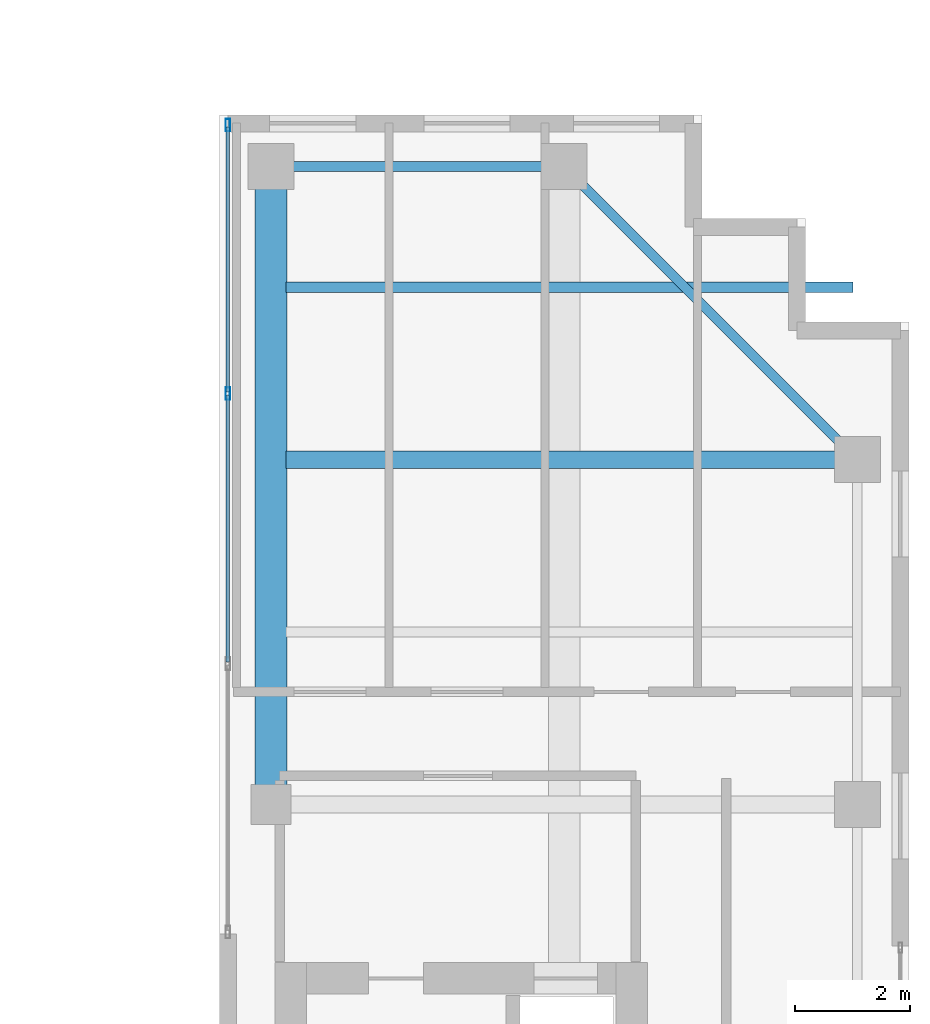
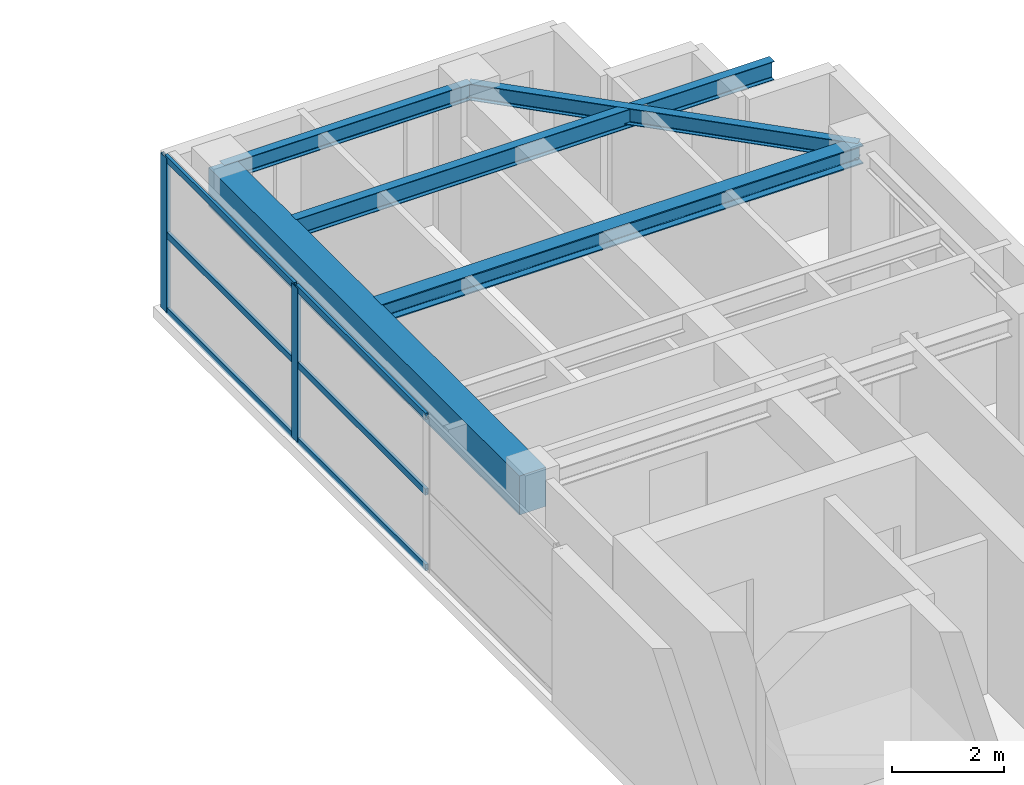
# One storey, part 15 of 22: 8 members, 5 beams, 1 element without a shape of its own.
"""IFC4 building model written with IfcOpenShell, lengths in metres."""

from ifc_helpers import new_model, si_unit, direction, frame, origin, origin_2d, place, context, subcontext, project, spatial, rectangle, hollow_rectangle, i_section, extrude, source, transform, mapped, material, layer, layer_set, material_profile, profile_set, type_object, element, aggregate, save


model = new_model("IFC4")

# Units and contexts
model_context = context("Model", 3, precision=1e-05, world=origin(), true_north=direction((0.0, 1.0)))
body_context = subcontext(model_context, "Body", "Model", "MODEL_VIEW")
ifc_project = project(units=[si_unit("LENGTHUNIT", "METRE"), si_unit("AREAUNIT", "SQUARE_METRE"), si_unit("VOLUMEUNIT", "CUBIC_METRE"), si_unit("PLANEANGLEUNIT", "RADIAN"), si_unit("MASSUNIT", "GRAM", prefix="KILO")], contexts=[model_context])

# Site, building, storey
site_placement = place(None, origin())
site = spatial("IfcSite", under=ifc_project, at=site_placement, CompositionType="ELEMENT")
building_placement = place(site_placement, origin())
building = spatial("IfcBuilding", under=site, at=building_placement, Name="Khoralis Quay Care Tower", CompositionType="ELEMENT")
storey_placement = place(building_placement, frame((0.0, 0.0, 260.10009765625)))
storey = spatial("IfcBuildingStorey", under=building, at=storey_placement, Name="L68", CompositionType="ELEMENT", Elevation=260.10009765625)

# Beams
ifc_material_1 = material(Name="Steel S355", Category="steel")
ifc_material_profile_1 = material_profile(ifc_material_1, i_section(OverallWidth=0.169921875, OverallDepth=0.360107421875, WebThickness=0.008056640625, FlangeThickness=0.0126953125, FilletRadius=0.01806640625, at=origin_2d()), Name="Steel S355")
ifc_profile_set_1 = profile_set([ifc_material_profile_1], Name="Steel S355")
beam_type_1 = type_object("IfcBeamType", Name="BM-IPE360", PredefinedType="SPANDREL", material=ifc_profile_set_1)
shared_shape_1 = source(origin(), body_context, "Body", "SweptSolid", [
    extrude(i_section(OverallWidth=0.169921875, OverallDepth=0.360107421875, WebThickness=0.008056640625, FlangeThickness=0.0126953125, FilletRadius=0.01806640625, at=origin_2d()), origin(), (0.0, 0.0, 1.0), 5.10009765625),
])
beam_1_placement = place(storey_placement, frame((30.89990234375, 41.10009765625, 3.179931640625), z_axis=(1.0, 0.0, 0.0), x_axis=(0.0, 1.0, 0.0)))
element("IfcBeam", 1, at=beam_1_placement, inside=storey, type_object=beam_type_1, Name="BM-TSP-L68-04", PredefinedType="SPANDREL", context=body_context, shape_type="MappedRepresentation", body=[
    mapped(shared_shape_1, transform((0.0, 0.0, 0.0), scale=1.0)),
])
shared_shape_2 = source(origin(), body_context, "Body", "SweptSolid", [
    extrude(i_section(OverallWidth=0.169921875, OverallDepth=0.360107421875, WebThickness=0.008056640625, FlangeThickness=0.0126953125, FilletRadius=0.01806640625, at=origin_2d()), origin(), (0.0, 0.0, 1.0), 7.212646484375),
])
beam_2_placement = place(storey_placement, frame((36.0, 41.10009765625, 3.179931640625), z_axis=(0.707106781187, -0.707106781187, 0.0), x_axis=(0.707106781187, 0.707106781187, 0.0)))
element("IfcBeam", 2, at=beam_2_placement, inside=storey, type_object=beam_type_1, Name="BM-TCR-L68-16", PredefinedType="SPANDREL", context=body_context, shape_type="MappedRepresentation", body=[
    mapped(shared_shape_2, transform((0.0, 0.0, 0.0), scale=1.0)),
])
ifc_material_profile_2 = material_profile(ifc_material_1, i_section(OverallWidth=0.300048828125, OverallDepth=0.39990234375, WebThickness=0.013427734375, FlangeThickness=0.02392578125, FilletRadius=0.027099609375, at=origin_2d()), Name="Steel S355")
ifc_profile_set_2 = profile_set([ifc_material_profile_2], Name="Steel S355")
beam_type_2 = type_object("IfcBeamType", Name="BM-HEB400", PredefinedType="BEAM", material=ifc_profile_set_2)
shared_shape_3 = source(origin(), body_context, "Body", "SweptSolid", [
    extrude(i_section(OverallWidth=0.300048828125, OverallDepth=0.39990234375, WebThickness=0.013427734375, FlangeThickness=0.02392578125, FilletRadius=0.027099609375, at=origin_2d()), origin(), (0.0, 0.0, 1.0), 9.93701171875),
])
beam_3_placement = place(storey_placement, frame((31.1630859375, 36.0, 3.159912109375), z_axis=(1.0, 0.0, 0.0), x_axis=(0.0, 1.0, 0.0)))
element("IfcBeam", 3, at=beam_3_placement, inside=storey, type_object=beam_type_2, Name="BM-TGXE-L68-360", PredefinedType="BEAM", context=body_context, shape_type="MappedRepresentation", body=[
    mapped(shared_shape_3, transform((0.0, 0.0, 0.0), scale=1.0)),
])
ifc_material_2 = material(Name="Concrete C50/60", Category="concrete")
ifc_material_profile_3 = material_profile(ifc_material_2, rectangle(XDim=0.550048828125, YDim=0.85009765625, at=origin_2d()), Name="Concrete C50/60")
ifc_profile_set_3 = profile_set([ifc_material_profile_3], Name="Concrete C50/60")
beam_type_3 = type_object("IfcBeamType", Name="BM-RC550X850", PredefinedType="BEAM", material=ifc_profile_set_3)
shared_shape_4 = source(origin(), body_context, "Body", "SweptSolid", [
    extrude(rectangle(XDim=0.550048828125, YDim=0.85009765625, at=origin_2d()), origin(), (0.0, 0.0, 1.0), 11.10009765625),
])
beam_4_placement = place(storey_placement, frame((30.89990234375, 30.0, 2.934814453125), z_axis=(0.0, 1.0, 0.0), x_axis=(-1.0, 0.0, 0.0)))
element("IfcBeam", 4, at=beam_4_placement, inside=storey, type_object=beam_type_3, Name="BM-TGYN-L68-309", PredefinedType="BEAM", context=body_context, shape_type="MappedRepresentation", body=[
    mapped(shared_shape_4, transform((0.0, 0.0, 0.0), scale=1.0)),
])
ifc_material_profile_4 = material_profile(ifc_material_1, i_section(OverallWidth=0.177978515625, OverallDepth=0.406982421875, WebThickness=0.0078125, FlangeThickness=0.0126953125, FilletRadius=0.012939453125, at=origin_2d()), Name="Steel S355")
ifc_profile_set_4 = profile_set([ifc_material_profile_4], Name="Steel S355")
beam_type_4 = type_object("IfcBeamType", Name="BM-W410X60", PredefinedType="JOIST", material=ifc_profile_set_4)
shared_shape_5 = source(origin(), body_context, "Body", "SweptSolid", [
    extrude(i_section(OverallWidth=0.177978515625, OverallDepth=0.406982421875, WebThickness=0.0078125, FlangeThickness=0.0126953125, FilletRadius=0.012939453125, at=origin_2d()), origin(), (0.0, 0.0, 1.0), 9.865966796875),
])
beam_5_placement = place(storey_placement, frame((31.1630859375, 39.0, 3.156494140625), z_axis=(1.0, 0.0, 0.0), x_axis=(0.0, 1.0, 0.0)))
element("IfcBeam", 5, at=beam_5_placement, inside=storey, type_object=beam_type_4, Name="BM-TJS-L68-22", PredefinedType="JOIST", context=body_context, shape_type="MappedRepresentation", body=[
    mapped(shared_shape_5, transform((0.0, 0.0, 0.0), scale=1.0)),
])

# Curtain wall, members
ifc_material_3 = material(Name="Pale anodised aluminium", Category="aluminium")
ifc_layer = layer(ifc_material_3, 0.18994140625)
ifc_layer_set = layer_set([ifc_layer], Name="Pale anodised aluminium")
curtain_wall_type = type_object("IfcCurtainWallType", Name="CW-SYS-PORTAL", PredefinedType="NOTDEFINED", material=ifc_layer_set)
curtain_wall_placement = place(storey_placement, origin())
curtain_wall = element("IfcCurtainWall", 6, at=curtain_wall_placement, inside=storey, type_object=curtain_wall_type, Name="L68 Unitised Curtain Wall CW-VP-L68-P2-N", PredefinedType="NOTDEFINED")
ifc_material_profile_5 = material_profile(ifc_material_3, hollow_rectangle(XDim=0.06005859375, YDim=0.139892578125, WallThickness=0.00390625, at=origin_2d()), Name="Pale anodised aluminium")
ifc_profile_set_5 = profile_set([ifc_material_profile_5], Name="Pale anodised aluminium")
member_type_1 = type_object("IfcMemberType", Name="CW-TRN-140", PredefinedType="USERDEFINED", material=ifc_profile_set_5)
shared_shape_6 = source(origin(), body_context, "Body", "SweptSolid", [
    extrude(hollow_rectangle(XDim=0.06005859375, YDim=0.139892578125, WallThickness=0.00390625, at=origin_2d()), origin(), (0.0, 0.0, 1.0), 4.610107421875),
])
member_1_placement = place(storey_placement, frame((30.14990234375, 37.179931640625, 0.02978515625), z_axis=(0.0, 1.0, 0.0), x_axis=(-1.0, 0.0, 0.0)))
member_1 = element("IfcMember", 7, at=member_1_placement, type_object=member_type_1, Name="CW4 transom 3.1", ObjectType="TRANSOM", PredefinedType="USERDEFINED", context=body_context, shape_type="MappedRepresentation", body=[
    mapped(shared_shape_6, transform((0.0, 0.0, 0.0), scale=1.0)),
])
member_2_placement = place(storey_placement, frame((30.14990234375, 37.179931640625, 1.679931640625), z_axis=(0.0, 1.0, 0.0), x_axis=(-1.0, 0.0, 0.0)))
member_2 = element("IfcMember", 8, at=member_2_placement, type_object=member_type_1, Name="CW4 transom 3.2", ObjectType="TRANSOM", PredefinedType="USERDEFINED", context=body_context, shape_type="MappedRepresentation", body=[
    mapped(shared_shape_6, transform((0.0, 0.0, 0.0), scale=1.0)),
])
member_3_placement = place(storey_placement, frame((30.14990234375, 37.179931640625, 3.329833984375), z_axis=(0.0, 1.0, 0.0), x_axis=(-1.0, 0.0, 0.0)))
member_3 = element("IfcMember", 9, at=member_3_placement, type_object=member_type_1, Name="CW4 transom 3.3", ObjectType="TRANSOM", PredefinedType="USERDEFINED", context=body_context, shape_type="MappedRepresentation", body=[
    mapped(shared_shape_6, transform((0.0, 0.0, 0.0), scale=1.0)),
])
shared_shape_7 = source(origin(), body_context, "Body", "SweptSolid", [
    extrude(hollow_rectangle(XDim=0.06005859375, YDim=0.139892578125, WallThickness=0.00390625, at=origin_2d()), origin(), (0.0, 0.0, 1.0), 4.64013671875),
])
member_4_placement = place(storey_placement, frame((30.14990234375, 32.47998046875, 0.02978515625), z_axis=(0.0, 1.0, 0.0), x_axis=(-1.0, 0.0, 0.0)))
member_4 = element("IfcMember", 10, at=member_4_placement, type_object=member_type_1, Name="CW4 transom 2.1", ObjectType="TRANSOM", PredefinedType="USERDEFINED", context=body_context, shape_type="MappedRepresentation", body=[
    mapped(shared_shape_7, transform((0.0, 0.0, 0.0), scale=1.0)),
])
member_5_placement = place(storey_placement, frame((30.14990234375, 32.47998046875, 1.679931640625), z_axis=(0.0, 1.0, 0.0), x_axis=(-1.0, 0.0, 0.0)))
member_5 = element("IfcMember", 11, at=member_5_placement, type_object=member_type_1, Name="CW4 transom 2.2", ObjectType="TRANSOM", PredefinedType="USERDEFINED", context=body_context, shape_type="MappedRepresentation", body=[
    mapped(shared_shape_7, transform((0.0, 0.0, 0.0), scale=1.0)),
])
member_6_placement = place(storey_placement, frame((30.14990234375, 32.47998046875, 3.329833984375), z_axis=(0.0, 1.0, 0.0), x_axis=(-1.0, 0.0, 0.0)))
member_6 = element("IfcMember", 12, at=member_6_placement, type_object=member_type_1, Name="CW4 transom 2.3", ObjectType="TRANSOM", PredefinedType="USERDEFINED", context=body_context, shape_type="MappedRepresentation", body=[
    mapped(shared_shape_7, transform((0.0, 0.0, 0.0), scale=1.0)),
])
ifc_material_profile_6 = material_profile(ifc_material_3, hollow_rectangle(XDim=0.074951171875, YDim=0.219970703125, WallThickness=0.00390625, at=origin_2d()), Name="Pale anodised aluminium")
ifc_profile_set_6 = profile_set([ifc_material_profile_6], Name="Pale anodised aluminium")
member_type_2 = type_object("IfcMemberType", Name="CW-MUL-220", PredefinedType="MULLION", material=ifc_profile_set_6)
shared_shape_8 = source(origin(), body_context, "Body", "SweptSolid", [
    extrude(hollow_rectangle(XDim=0.074951171875, YDim=0.219970703125, WallThickness=0.00390625, at=origin_2d()), origin(), (0.0, 0.0, 1.0), 3.35986328125),
])
member_7_placement = place(storey_placement, frame((30.14990234375, 37.14990234375, 0.0), z_axis=(0.0, 0.0, 1.0), x_axis=(-1.0, 0.0, 0.0)))
member_7 = element("IfcMember", 13, at=member_7_placement, type_object=member_type_2, Name="CW4 mullion 3", PredefinedType="MULLION", context=body_context, shape_type="MappedRepresentation", body=[
    mapped(shared_shape_8, transform((0.0, 0.0, 0.0), scale=1.0)),
])
member_8_placement = place(storey_placement, frame((30.14990234375, 41.820068359375, 0.0), z_axis=(0.0, 0.0, 1.0), x_axis=(-1.0, 0.0, 0.0)))
member_8 = element("IfcMember", 14, at=member_8_placement, type_object=member_type_2, Name="CW4 mullion 4", PredefinedType="MULLION", context=body_context, shape_type="MappedRepresentation", body=[
    mapped(shared_shape_8, transform((0.0, 0.0, 0.0), scale=1.0)),
])
aggregate(curtain_wall, [member_7, member_8, member_4, member_5, member_6, member_1, member_2, member_3])

save(model, "model.ifc")
